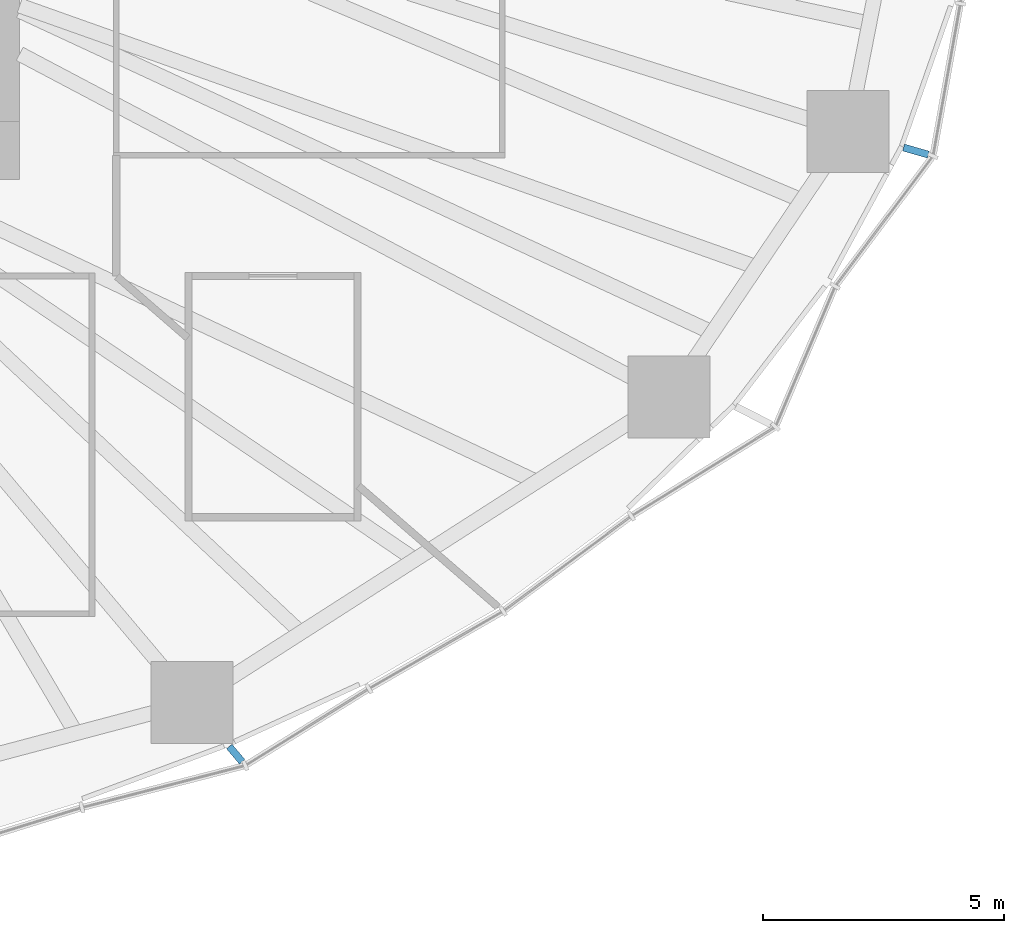
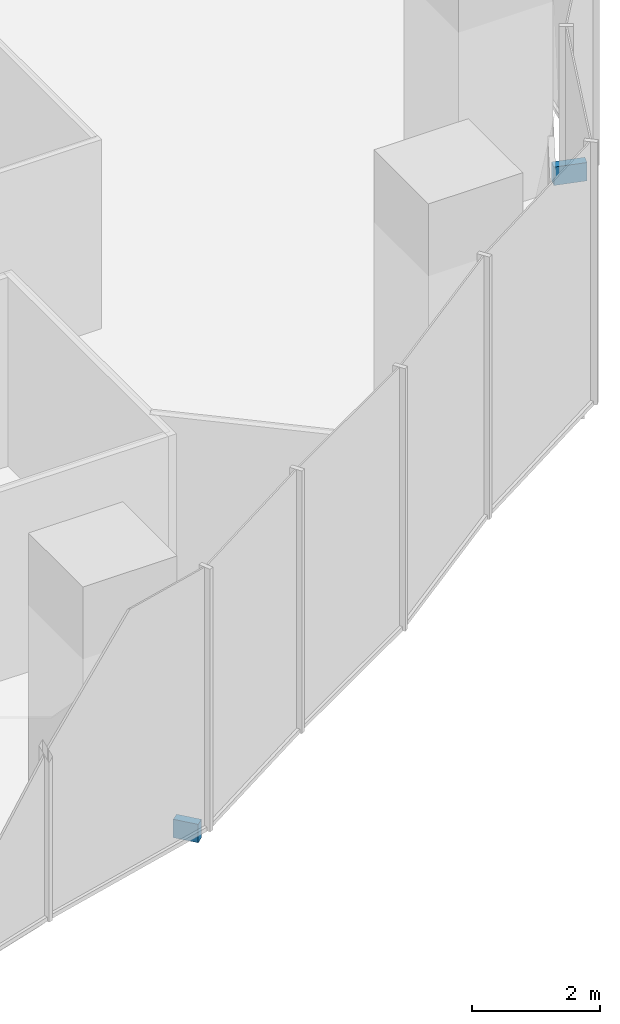
# One storey, part 14 of 20: 2 discrete accessories.
"""IFC4 building model written with IfcOpenShell, lengths in metres."""

from ifc_helpers import new_model, si_unit, direction, frame, origin, origin_2d, place, context, subcontext, project, spatial, rectangle, extrude, material, type_object, element, save


model = new_model("IFC4")

# Units and contexts
model_context = context("Model", 3, precision=1e-05, world=origin(), true_north=direction((0.0, 1.0)))
body_context = subcontext(model_context, "Body", "Model", "MODEL_VIEW")
ifc_project = project(units=[si_unit("LENGTHUNIT", "METRE"), si_unit("AREAUNIT", "SQUARE_METRE"), si_unit("VOLUMEUNIT", "CUBIC_METRE"), si_unit("PLANEANGLEUNIT", "RADIAN"), si_unit("MASSUNIT", "GRAM", prefix="KILO")], contexts=[model_context])

# Site, building, storey
site_placement = place(None, origin())
site = spatial("IfcSite", under=ifc_project, at=site_placement, CompositionType="ELEMENT")
building_placement = place(site_placement, origin())
building = spatial("IfcBuilding", under=site, at=building_placement, Name="Ghaith Harvest Tower", CompositionType="ELEMENT")
storey_placement = place(building_placement, frame((0.0, 0.0, 60.0)))
storey = spatial("IfcBuildingStorey", under=building, at=storey_placement, Name="L12", CompositionType="ELEMENT", Elevation=60.0)

# Discrete accessories
ifc_material_1 = material(Name="Stainless steel grade 1.4401", Category="steel")
discrete_accessory_type_1 = type_object("IfcDiscreteAccessoryType", Name="CURTAIN WALL BRACKET 415", PredefinedType="BRACKET", material=ifc_material_1)
discrete_accessory_1_placement = place(storey_placement, frame((18.475830078125, -21.90966796875, -0.25), z_axis=(0.0, 0.0, 1.0), x_axis=(0.644657240069, -0.764471741025, 0.0)))
element("IfcDiscreteAccessory", 1, at=discrete_accessory_1_placement, inside=storey, type_object=discrete_accessory_type_1, Name="CW-F bracket 1 bay 18 L12", PredefinedType="BRACKET", context=body_context, shape_type="SweptSolid", body=[
    extrude(rectangle(XDim=0.4150390625, YDim=0.14990234375, at=origin_2d()), origin(), (0.0, 0.0, 1.0), 0.35009765625),
])
ifc_material_2 = material(Name="Stainless steel grade 1.4401", Category="steel")
discrete_accessory_type_2 = type_object("IfcDiscreteAccessoryType", Name="CURTAIN WALL BRACKET 535", PredefinedType="BRACKET", material=ifc_material_2)
discrete_accessory_2_placement = place(storey_placement, frame((32.570556640625, -9.41357421875, -0.25), z_axis=(0.0, 0.0, 1.0), x_axis=(0.960680349932, -0.277656739976, 0.0)))
element("IfcDiscreteAccessory", 2, at=discrete_accessory_2_placement, inside=storey, type_object=discrete_accessory_type_2, Name="CW-F bracket 1 bay 20 L12", PredefinedType="BRACKET", context=body_context, shape_type="SweptSolid", body=[
    extrude(rectangle(XDim=0.534912109375, YDim=0.14990234375, at=origin_2d()), origin(), (0.0, 0.0, 1.0), 0.35009765625),
])

save(model, "model.ifc")
